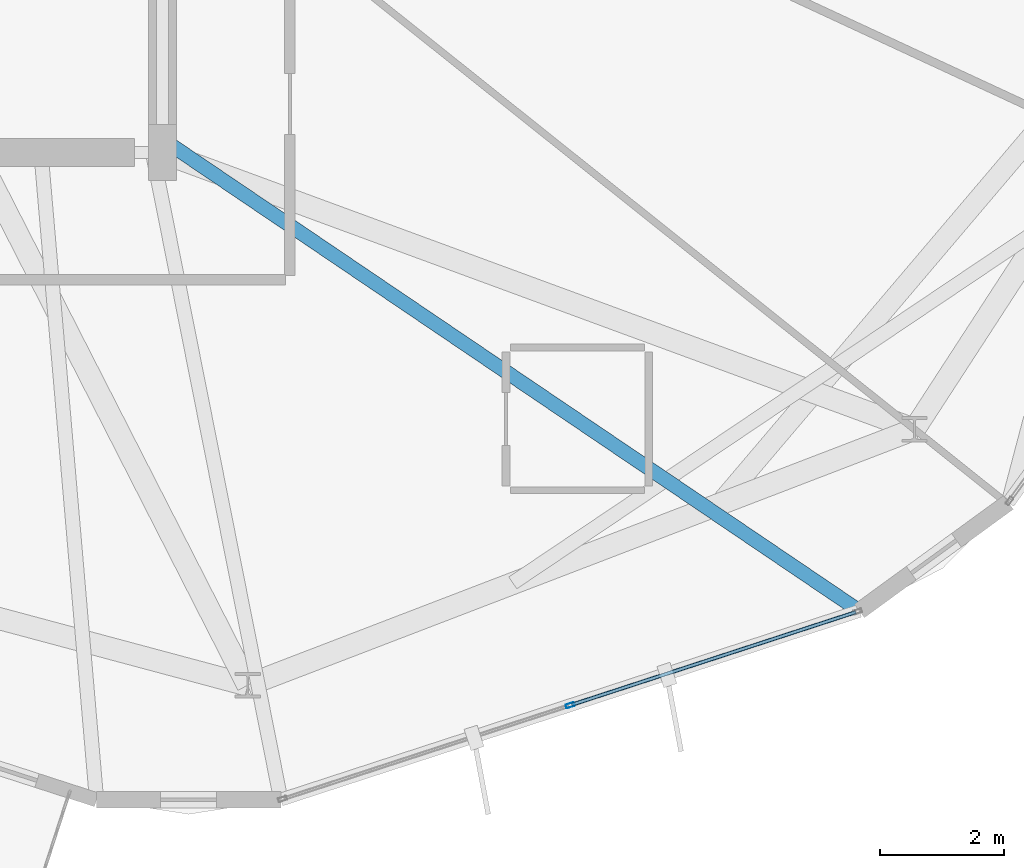
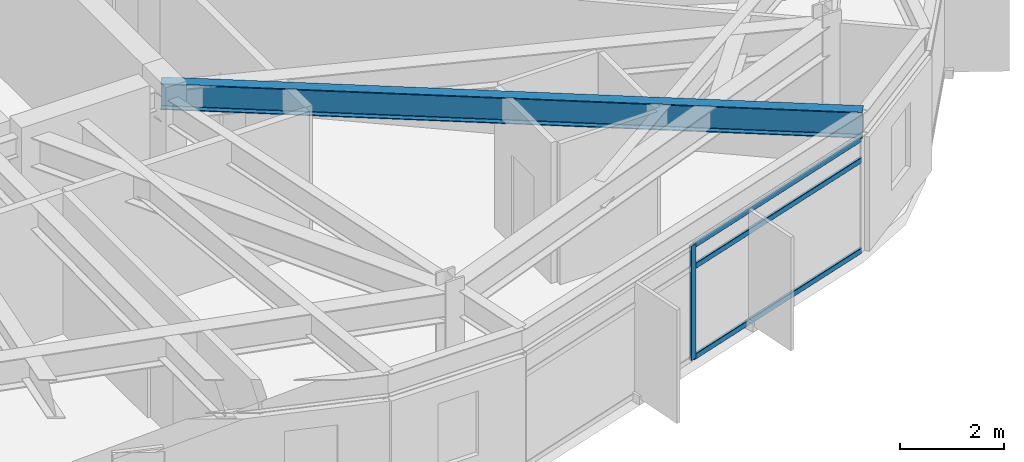
# One storey, part 7 of 31: 4 members, 1 beam, 1 element without a shape of its own.
"""IFC4 building model written with IfcOpenShell, lengths in metres."""

from ifc_helpers import new_model, si_unit, direction, frame, origin, origin_2d, place, context, subcontext, project, spatial, hollow_rectangle, i_section, extrude, material, layer, layer_set, material_profile, profile_set, type_object, element, aggregate, save


model = new_model("IFC4")

# Units and contexts
model_context = context("Model", 3, precision=1e-05, world=origin(), true_north=direction((0.0, 1.0)))
body_context = subcontext(model_context, "Body", "Model", "MODEL_VIEW")
ifc_project = project(units=[si_unit("LENGTHUNIT", "METRE"), si_unit("AREAUNIT", "SQUARE_METRE"), si_unit("VOLUMEUNIT", "CUBIC_METRE"), si_unit("PLANEANGLEUNIT", "RADIAN"), si_unit("MASSUNIT", "GRAM", prefix="KILO")], contexts=[model_context])

# Site, building, storey
site_placement = place(None, origin())
site = spatial("IfcSite", under=ifc_project, at=site_placement, CompositionType="ELEMENT")
building_placement = place(site_placement, origin())
building = spatial("IfcBuilding", under=site, at=building_placement, Name="Soratama Intermodal Tower", CompositionType="ELEMENT")
storey_placement = place(building_placement, frame((0.0, 0.0, 230.199951171875)))
storey = spatial("IfcBuildingStorey", under=building, at=storey_placement, Name="L58", CompositionType="ELEMENT", Elevation=230.199951171875)

# Beam
ifc_material_1 = material(Name="Structural steel ASTM A992 Grade 50", Category="steel")
ifc_material_profile_1 = material_profile(ifc_material_1, i_section(OverallWidth=0.22900390625, OverallDepth=0.612060546875, WebThickness=0.011962890625, FlangeThickness=0.01953125, FilletRadius=0.012939453125, at=origin_2d()), Name="W24X84")
ifc_profile_set_1 = profile_set([ifc_material_profile_1], Name="Structural steel ASTM A992 Grade 50")
beam_type = type_object("IfcBeamType", Name="BM-TIE-W24X84", PredefinedType="BEAM", material=ifc_profile_set_1)
beam_placement = place(storey_placement, frame((44.633056640625, 15.193115234375, 2.994140625), z_axis=(0.828134381996, -0.560529611488, 0.0), x_axis=(0.560529611488, 0.828134381996, 0.0)))
element("IfcBeam", 1, at=beam_placement, inside=storey, type_object=beam_type, Name="BM-L58-TIE1-07", PredefinedType="BEAM", context=body_context, shape_type="SweptSolid", body=[
    extrude(i_section(OverallWidth=0.22900390625, OverallDepth=0.612060546875, WebThickness=0.011962890625, FlangeThickness=0.01953125, FilletRadius=0.012939453125, at=origin_2d()), origin(), (0.0, 0.0, 1.0), 13.5087890625),
])

# Curtain wall, members
ifc_material_2 = material(Name="Double-glazed aluminium curtain wall", Category="aluminium")
ifc_layer = layer(ifc_material_2, 0.159912109375)
ifc_layer_set = layer_set([ifc_layer], Name="Double-glazed aluminium curtain wall")
curtain_wall_type = type_object("IfcCurtainWallType", Name="CW-SYS-5", PredefinedType="NOTDEFINED", material=ifc_layer_set)
curtain_wall_placement = place(storey_placement, origin())
curtain_wall = element("IfcCurtainWall", 2, at=curtain_wall_placement, inside=storey, type_object=curtain_wall_type, Name="L58 Faceted Curtain Wall F07", PredefinedType="NOTDEFINED")
ifc_material_3 = material(Name="Anodised aluminium AA 6063-T6", Category="aluminium")
ifc_material_profile_2 = material_profile(ifc_material_3, hollow_rectangle(XDim=0.06494140625, YDim=0.139892578125, WallThickness=0.0048828125, InnerFilletRadius=0.0048828125, OuterFilletRadius=0.010009765625, at=origin_2d()), Name="CWM140X65X5")
ifc_profile_set_2 = profile_set([ifc_material_profile_2], Name="Anodised aluminium AA 6063-T6")
member_type_1 = type_object("IfcMemberType", Name="MT-CWM-5", PredefinedType="MULLION", material=ifc_profile_set_2)
member_1_placement = place(storey_placement, frame((51.162109375, 6.102294921875, 0.0), z_axis=(0.0, 0.0, 1.0), x_axis=(-0.310014382585, 0.950731866822, 0.0)))
member_1 = element("IfcMember", 3, at=member_1_placement, type_object=member_type_1, Name="CW-5 mullion 2", PredefinedType="MULLION", context=body_context, shape_type="SweptSolid", body=[
    extrude(hollow_rectangle(XDim=0.06494140625, YDim=0.139892578125, WallThickness=0.0048828125, InnerFilletRadius=0.0048828125, OuterFilletRadius=0.010009765625, at=origin_2d()), origin(), (0.0, 0.0, 1.0), 2.678955078125),
])
ifc_material_4 = material(Name="Anodised aluminium AA 6063-T6", Category="aluminium")
ifc_material_profile_3 = material_profile(ifc_material_4, hollow_rectangle(XDim=0.06005859375, YDim=0.1298828125, WallThickness=0.0048828125, InnerFilletRadius=0.0048828125, OuterFilletRadius=0.010009765625, at=origin_2d()), Name="CWT130X60X5")
ifc_profile_set_3 = profile_set([ifc_material_profile_3], Name="Anodised aluminium AA 6063-T6")
member_type_2 = type_object("IfcMemberType", Name="TT-CWT-2", PredefinedType="USERDEFINED", material=ifc_profile_set_3)
member_2_placement = place(storey_placement, frame((51.190673828125, 6.111572265625, 0.030029296875), z_axis=(0.950734393788, 0.310006632942, 0.0), x_axis=(-0.310006632942, 0.950734393788, 0.0)))
member_2 = element("IfcMember", 4, at=member_2_placement, type_object=member_type_2, Name="CW-5 transom 2.1", ObjectType="TRANSOM", PredefinedType="USERDEFINED", context=body_context, shape_type="SweptSolid", body=[
    extrude(hollow_rectangle(XDim=0.06005859375, YDim=0.1298828125, WallThickness=0.0048828125, InnerFilletRadius=0.0048828125, OuterFilletRadius=0.010009765625, at=origin_2d()), origin(), (0.0, 0.0, 1.0), 4.80859375),
])
member_3_placement = place(storey_placement, frame((51.190673828125, 6.111572265625, 2.150146484375), z_axis=(0.950734393788, 0.310006632942, 0.0), x_axis=(-0.310006632942, 0.950734393788, 0.0)))
member_3 = element("IfcMember", 5, at=member_3_placement, type_object=member_type_2, Name="CW-5 transom 2.2", ObjectType="TRANSOM", PredefinedType="USERDEFINED", context=body_context, shape_type="SweptSolid", body=[
    extrude(hollow_rectangle(XDim=0.06005859375, YDim=0.1298828125, WallThickness=0.0048828125, InnerFilletRadius=0.0048828125, OuterFilletRadius=0.010009765625, at=origin_2d()), origin(), (0.0, 0.0, 1.0), 4.80859375),
])
member_4_placement = place(storey_placement, frame((51.190673828125, 6.111572265625, 2.649169921875), z_axis=(0.950734393788, 0.310006632942, 0.0), x_axis=(-0.310006632942, 0.950734393788, 0.0)))
member_4 = element("IfcMember", 6, at=member_4_placement, type_object=member_type_2, Name="CW-5 transom 2.3", ObjectType="TRANSOM", PredefinedType="USERDEFINED", context=body_context, shape_type="SweptSolid", body=[
    extrude(hollow_rectangle(XDim=0.06005859375, YDim=0.1298828125, WallThickness=0.0048828125, InnerFilletRadius=0.0048828125, OuterFilletRadius=0.010009765625, at=origin_2d()), origin(), (0.0, 0.0, 1.0), 4.80859375),
])
aggregate(curtain_wall, [member_1, member_2, member_3, member_4])

save(model, "model.ifc")
